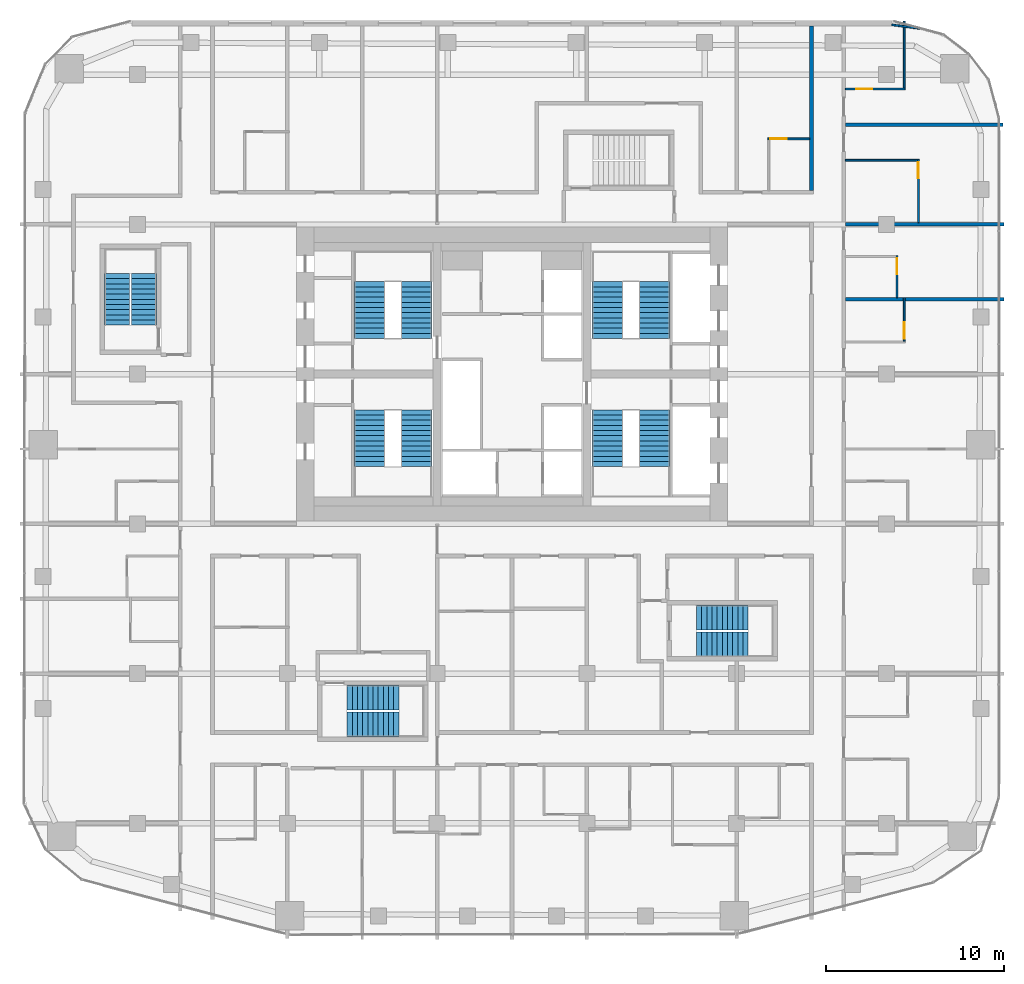
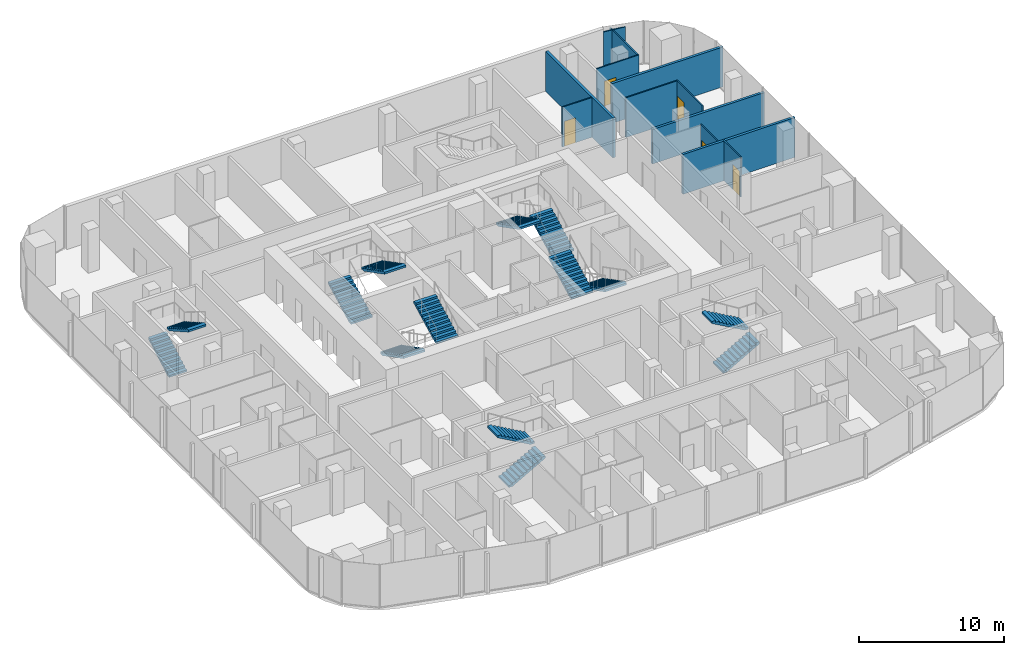
# One storey, part 20 of 23: 14 stair flights, 12 walls, 5 doors, 5 openings, 7 elements without a shape of their own.
"""IFC4 building model written with IfcOpenShell, lengths in metres."""

from ifc_helpers import new_model, si_unit, direction, frame, frame_2d, origin, place, context, subcontext, project, spatial, polyline, rectangle, outline, extrude, material, layer, layer_set, type_object, element, fill, aggregate, save


model = new_model("IFC4")

# Units and contexts
model_context = context("Model", 3, precision=1e-05, world=origin(), true_north=direction((0.0, 1.0)))
body_context = subcontext(model_context, "Body", "Model", "MODEL_VIEW")
ifc_project = project(units=[si_unit("LENGTHUNIT", "METRE"), si_unit("AREAUNIT", "SQUARE_METRE"), si_unit("VOLUMEUNIT", "CUBIC_METRE"), si_unit("PLANEANGLEUNIT", "RADIAN"), si_unit("MASSUNIT", "GRAM", prefix="KILO")], contexts=[model_context])

# Site, building, storey
site_placement = place(None, origin())
site = spatial("IfcSite", under=ifc_project, at=site_placement, CompositionType="ELEMENT")
building_placement = place(site_placement, origin())
building = spatial("IfcBuilding", under=site, at=building_placement, Name="Marenta Gate Hotel Tower", CompositionType="ELEMENT")
storey_placement = place(building_placement, frame((0.0, 0.0, 162.5)))
storey = spatial("IfcBuildingStorey", under=building, at=storey_placement, Name="L38", CompositionType="ELEMENT", Elevation=162.5)

# Wall
ifc_material_1 = material(Name="Gypsum board on steel stud", Category="steel")
ifc_layer_1 = layer(ifc_material_1, 0.199951171875)
ifc_layer_set_1 = layer_set([ifc_layer_1], Name="Gypsum board on steel stud")
wall_type_1 = type_object("IfcWallType", Name="Room corridor wall 200 EI 60", PredefinedType="PARTITIONING", material=ifc_layer_set_1)
wall_1_placement = place(storey_placement, frame((16.800048828125, 18.699951171875, 0.0), z_axis=(0.0, 0.0, 1.0), x_axis=(0.0, 1.0, 0.0)))
element("IfcWall", 1, at=wall_1_placement, inside=storey, type_object=wall_type_1, Name="L38-PTN-W018", PredefinedType="PARTITIONING", context=body_context, shape_type="SweptSolid", body=[
    extrude(rectangle(XDim=9.239990234375, YDim=0.199951171875, at=frame_2d((4.6201171875, 0.0))), origin(), (0.0, 0.0, 1.0), 3.340087890625),
])

# Wall, opening, door
ifc_material_2 = material(Name="Gypsum board on steel stud", Category="steel")
ifc_layer_2 = layer(ifc_material_2, 0.10009765625)
ifc_layer_set_2 = layer_set([ifc_layer_2], Name="Gypsum board on steel stud")
wall_type_2 = type_object("IfcWallType", Name="Room partition 100", PredefinedType="PARTITIONING", material=ifc_layer_set_2)
wall_2_placement = place(storey_placement, frame((22.800048828125, 16.89990234375, 0.0), z_axis=(0.0, 0.0, 1.0), x_axis=(0.0, 1.0, 0.0)))
wall_2 = element("IfcWall", 2, at=wall_2_placement, inside=storey, type_object=wall_type_2, Name="L38-PTN-W001", PredefinedType="PARTITIONING", context=body_context, shape_type="SweptSolid", body=[
    extrude(rectangle(XDim=3.550048828125, YDim=0.10009765625, at=frame_2d((1.77490234375, 0.0))), origin(), (0.0, 0.0, 1.0), 3.340087890625),
])
opening_1_placement = place(wall_2_placement, frame((2.5, 0.0, 0.0)))
opening_1 = element("IfcOpeningElement", 3, at=opening_1_placement, cuts=wall_2, Name="Opening G14-22", PredefinedType="OPENING", context=body_context, shape_type="SweptSolid", body=[
    extrude(rectangle(XDim=0.89990234375, YDim=2.10009765625, at=frame_2d((0.449951171875, 1.050048828125))), frame((0.0, 0.050048828125, 0.0), z_axis=(0.0, -1.0, 0.0), x_axis=(1.0, 0.0, 0.0)), (0.0, 0.0, 1.0), 0.10009765625),
])
ifc_material_3 = material(Name="Timber door leaf", Category="wood")
door_type = type_object("IfcDoorType", Name="Guest bathroom door 900x2100", OperationType="NOTDEFINED", PredefinedType="DOOR", material=ifc_material_3)
door_1_placement = place(opening_1_placement, origin())
door_1 = element("IfcDoor", 4, at=door_1_placement, inside=storey, type_object=door_type, Name="L38-PD-D022", OperationType="SINGLE_SWING_RIGHT", OverallHeight=2.10009765625, OverallWidth=0.89990234375, PredefinedType="DOOR", context=body_context, shape_type="SweptSolid", body=[
    extrude(rectangle(XDim=0.89990234375, YDim=2.10009765625, at=frame_2d((0.449951171875, 1.050048828125))), frame((0.0, 0.02490234375, 0.0), z_axis=(0.0, -1.0, 0.0), x_axis=(1.0, 0.0, 0.0)), (0.0, 0.0, 1.0), 0.050048828125),
])
fill(opening_1, door_1)

wall_3_placement = place(storey_placement, frame((22.0, 10.25, 0.0), z_axis=(0.0, 0.0, 1.0), x_axis=(0.0, 1.0, 0.0)))
wall_3 = element("IfcWall", 5, at=wall_3_placement, inside=storey, type_object=wall_type_2, Name="L38-PTN-W005", PredefinedType="PARTITIONING", context=body_context, shape_type="SweptSolid", body=[
    extrude(rectangle(XDim=2.449951171875, YDim=0.10009765625, at=frame_2d((1.22509765625, 0.0))), origin(), (0.0, 0.0, 1.0), 3.340087890625),
])
opening_2_placement = place(wall_3_placement, frame((0.14990234375, 0.0, 0.0)))
opening_2 = element("IfcOpeningElement", 6, at=opening_2_placement, cuts=wall_3, Name="Opening G14-18", PredefinedType="OPENING", context=body_context, shape_type="SweptSolid", body=[
    extrude(rectangle(XDim=0.89990234375, YDim=2.10009765625, at=frame_2d((0.449951171875, 1.050048828125))), frame((0.0, 0.050048828125, 0.0), z_axis=(0.0, -1.0, 0.0), x_axis=(1.0, 0.0, 0.0)), (0.0, 0.0, 1.0), 0.10009765625),
])
door_2_placement = place(opening_2_placement, origin())
door_2 = element("IfcDoor", 7, at=door_2_placement, inside=storey, type_object=door_type, Name="L38-PD-D018", OperationType="SINGLE_SWING_LEFT", OverallHeight=2.10009765625, OverallWidth=0.89990234375, PredefinedType="DOOR", context=body_context, shape_type="SweptSolid", body=[
    extrude(rectangle(XDim=0.89990234375, YDim=2.10009765625, at=frame_2d((0.449951171875, 1.050048828125))), frame((0.0, 0.02490234375, 0.0), z_axis=(0.0, -1.0, 0.0), x_axis=(1.0, 0.0, 0.0)), (0.0, 0.0, 1.0), 0.050048828125),
])
fill(opening_2, door_2)

# Wall
wall_4_placement = place(storey_placement, frame((22.0, 24.449951171875, 0.0), z_axis=(0.0, 0.0, 1.0), x_axis=(0.0, 1.0, 0.0)))
element("IfcWall", 8, at=wall_4_placement, inside=storey, type_object=wall_type_2, Name="L38-PTN-W006", PredefinedType="PARTITIONING", context=body_context, shape_type="SweptSolid", body=[
    extrude(rectangle(XDim=3.758056640625, YDim=0.10009765625, at=frame_2d((1.87890625, 0.0))), origin(), (0.0, 0.0, 1.0), 3.340087890625),
])

# Wall, opening, door
wall_5_placement = place(storey_placement, frame((21.60009765625, 12.699951171875, 0.0), z_axis=(0.0, 0.0, 1.0), x_axis=(0.0, 1.0, 0.0)))
wall_5 = element("IfcWall", 9, at=wall_5_placement, inside=storey, type_object=wall_type_2, Name="L38-PTN-W008", PredefinedType="PARTITIONING", context=body_context, shape_type="SweptSolid", body=[
    extrude(rectangle(XDim=2.35009765625, YDim=0.10009765625, at=frame_2d((1.175048828125, 0.0))), origin(), (0.0, 0.0, 1.0), 3.340087890625),
])
opening_3_placement = place(wall_5_placement, frame((1.300048828125, 0.0, 0.0)))
opening_3 = element("IfcOpeningElement", 10, at=opening_3_placement, cuts=wall_5, Name="Opening G14-20", PredefinedType="OPENING", context=body_context, shape_type="SweptSolid", body=[
    extrude(rectangle(XDim=0.89990234375, YDim=2.10009765625, at=frame_2d((0.449951171875, 1.050048828125))), frame((0.0, 0.050048828125, 0.0), z_axis=(0.0, -1.0, 0.0), x_axis=(1.0, 0.0, 0.0)), (0.0, 0.0, 1.0), 0.10009765625),
])
door_3_placement = place(opening_3_placement, origin())
door_3 = element("IfcDoor", 11, at=door_3_placement, inside=storey, type_object=door_type, Name="L38-PD-D020", OperationType="SINGLE_SWING_RIGHT", OverallHeight=2.10009765625, OverallWidth=0.89990234375, PredefinedType="DOOR", context=body_context, shape_type="SweptSolid", body=[
    extrude(rectangle(XDim=0.89990234375, YDim=2.10009765625, at=frame_2d((0.449951171875, 1.050048828125))), frame((0.0, 0.02490234375, 0.0), z_axis=(0.0, -1.0, 0.0), x_axis=(1.0, 0.0, 0.0)), (0.0, 0.0, 1.0), 0.050048828125),
])
fill(opening_3, door_3)

# Wall
wall_6_placement = place(storey_placement, frame((18.699951171875, 20.39990234375, 0.0), z_axis=(0.0, 0.0, 1.0), x_axis=(1.0, 0.0, 0.0)))
element("IfcWall", 12, at=wall_6_placement, inside=storey, type_object=wall_type_2, Name="L38-PTN-W107", PredefinedType="PARTITIONING", context=body_context, shape_type="SweptSolid", body=[
    extrude(rectangle(XDim=4.050048828125, YDim=0.10009765625, at=frame_2d((2.02490234375, 0.0))), origin(), (0.0, 0.0, 1.0), 3.340087890625),
])

# Wall, opening, door
wall_7_placement = place(storey_placement, frame((14.35009765625, 21.60009765625, 0.0), z_axis=(0.0, 0.0, 1.0), x_axis=(1.0, 0.0, 0.0)))
wall_7 = element("IfcWall", 13, at=wall_7_placement, inside=storey, type_object=wall_type_2, Name="L38-PTN-W110", PredefinedType="PARTITIONING", context=body_context, shape_type="SweptSolid", body=[
    extrude(rectangle(XDim=2.349853515625, YDim=0.10009765625, at=frame_2d((1.1748046875, 0.0))), origin(), (0.0, 0.0, 1.0), 3.340087890625),
])
opening_4_placement = place(wall_7_placement, frame((0.14990234375, 0.0, 0.0)))
opening_4 = element("IfcOpeningElement", 14, at=opening_4_placement, cuts=wall_7, Name="Opening G14-29", PredefinedType="OPENING", context=body_context, shape_type="SweptSolid", body=[
    extrude(rectangle(XDim=0.89990234375, YDim=2.10009765625, at=frame_2d((0.449951171875, 1.050048828125))), frame((0.0, 0.050048828125, 0.0), z_axis=(0.0, -1.0, 0.0), x_axis=(1.0, 0.0, 0.0)), (0.0, 0.0, 1.0), 0.10009765625),
])
door_4_placement = place(opening_4_placement, origin())
door_4 = element("IfcDoor", 15, at=door_4_placement, inside=storey, type_object=door_type, Name="L38-PD-D029", OperationType="SINGLE_SWING_RIGHT", OverallHeight=2.10009765625, OverallWidth=0.89990234375, PredefinedType="DOOR", context=body_context, shape_type="SweptSolid", body=[
    extrude(rectangle(XDim=0.89990234375, YDim=2.10009765625, at=frame_2d((0.449951171875, 1.050048828125))), frame((0.0, 0.02490234375, 0.0), z_axis=(0.0, -1.0, 0.0), x_axis=(1.0, 0.0, 0.0)), (0.0, 0.0, 1.0), 0.050048828125),
])
fill(opening_4, door_4)

wall_8_placement = place(storey_placement, frame((18.699951171875, 24.39990234375, 0.0), z_axis=(0.0, 0.0, 1.0), x_axis=(1.0, 0.0, 0.0)))
wall_8 = element("IfcWall", 16, at=wall_8_placement, inside=storey, type_object=wall_type_2, Name="L38-PTN-W115", PredefinedType="PARTITIONING", context=body_context, shape_type="SweptSolid", body=[
    extrude(rectangle(XDim=3.35009765625, YDim=0.10009765625, at=frame_2d((1.675048828125, 0.0))), origin(), (0.0, 0.0, 1.0), 3.340087890625),
])
opening_5_placement = place(wall_8_placement, frame((0.6201171875, 0.0, 0.0)))
opening_5 = element("IfcOpeningElement", 17, at=opening_5_placement, cuts=wall_8, Name="Opening G14-24", PredefinedType="OPENING", context=body_context, shape_type="SweptSolid", body=[
    extrude(rectangle(XDim=0.89990234375, YDim=2.10009765625, at=frame_2d((0.449951171875, 1.050048828125))), frame((0.0, 0.050048828125, 0.0), z_axis=(0.0, -1.0, 0.0), x_axis=(1.0, 0.0, 0.0)), (0.0, 0.0, 1.0), 0.10009765625),
])
door_5_placement = place(opening_5_placement, origin())
door_5 = element("IfcDoor", 18, at=door_5_placement, inside=storey, type_object=door_type, Name="L38-PD-D024", OperationType="SINGLE_SWING_RIGHT", OverallHeight=2.10009765625, OverallWidth=0.89990234375, PredefinedType="DOOR", context=body_context, shape_type="SweptSolid", body=[
    extrude(rectangle(XDim=0.89990234375, YDim=2.10009765625, at=frame_2d((0.449951171875, 1.050048828125))), frame((0.0, 0.02490234375, 0.0), z_axis=(0.0, -1.0, 0.0), x_axis=(1.0, 0.0, 0.0)), (0.0, 0.0, 1.0), 0.050048828125),
])
fill(opening_5, door_5)

# Walls
wall_9_placement = place(storey_placement, frame((21.31201171875, 27.998046875, 0.0), z_axis=(0.0, 0.0, 1.0), x_axis=(0.991547575144, -0.129743617284, 0.0)))
element("IfcWall", 19, at=wall_9_placement, inside=storey, type_object=wall_type_2, Name="L38-PTN-W117", PredefinedType="PARTITIONING", context=body_context, shape_type="SweptSolid", body=[
    extrude(rectangle(XDim=1.625732421875, YDim=0.10009765625, at=frame_2d((0.81298828125, 0.0))), origin(), (0.0, 0.0, 1.0), 3.340087890625),
])
ifc_material_4 = material(Name="Gypsum board on steel stud", Category="steel")
ifc_layer_3 = layer(ifc_material_4, 0.199951171875)
ifc_layer_set_3 = layer_set([ifc_layer_3], Name="Gypsum board on steel stud")
wall_type_3 = type_object("IfcWallType", Name="Room party wall 200 EI 60", PredefinedType="PARTITIONING", material=ifc_layer_set_3)
wall_10_placement = place(storey_placement, frame((18.699951171875, 12.60009765625, 0.0), z_axis=(0.0, 0.0, 1.0), x_axis=(1.0, 0.0, 0.0)))
element("IfcWall", 20, at=wall_10_placement, inside=storey, type_object=wall_type_3, Name="L38-PTN-W091", PredefinedType="PARTITIONING", context=body_context, shape_type="SweptSolid", body=[
    extrude(rectangle(XDim=8.900146484375, YDim=0.199951171875, at=frame_2d((4.4501953125, 0.0))), origin(), (0.0, 0.0, 1.0), 3.340087890625),
])
wall_11_placement = place(storey_placement, frame((18.699951171875, 16.800048828125, 0.0), z_axis=(0.0, 0.0, 1.0), x_axis=(1.0, 0.0, 0.0)))
element("IfcWall", 21, at=wall_11_placement, inside=storey, type_object=wall_type_3, Name="L38-PTN-W100", PredefinedType="PARTITIONING", context=body_context, shape_type="SweptSolid", body=[
    extrude(rectangle(XDim=8.900146484375, YDim=0.199951171875, at=frame_2d((4.4501953125, 0.0))), origin(), (0.0, 0.0, 1.0), 2.889892578125),
])
wall_12_placement = place(storey_placement, frame((18.699951171875, 22.39990234375, 0.0), z_axis=(0.0, 0.0, 1.0), x_axis=(1.0, 0.0, 0.0)))
element("IfcWall", 22, at=wall_12_placement, inside=storey, type_object=wall_type_3, Name="L38-PTN-W113", PredefinedType="PARTITIONING", context=body_context, shape_type="SweptSolid", body=[
    extrude(rectangle(XDim=8.84716796875, YDim=0.199951171875, at=frame_2d((4.423583984375, 0.0))), origin(), (0.0, 0.0, 1.0), 3.340087890625),
])

# Stair, stair flights
ifc_material_5 = material(Name="Concrete C40", Category="concrete")
stair_type_1 = type_object("IfcStairType", Name="Core exit stair 1700 wide", PredefinedType="HALF_TURN_STAIR", material=ifc_material_5)
stair_1_placement = place(storey_placement, origin())
stair_1 = element("IfcStair", 23, at=stair_1_placement, inside=storey, type_object=stair_type_1, Name="Exit stair 1", PredefinedType="HALF_TURN_STAIR")
ifc_material_6 = material(Name="Concrete C40", Category="concrete")
stair_flight_type_1 = type_object("IfcStairFlightType", Name="Core stair flight 1700 riser 150.0 going 290", PredefinedType="STRAIGHT", material=ifc_material_6)
stair_flight_1_placement = place(storey_placement, frame((-8.0, 6.39990234375, 0.0), z_axis=(0.0, 0.0, 1.0), x_axis=(0.0, -1.0, 0.0)))
stair_flight_1 = element("IfcStairFlight", 24, at=stair_flight_1_placement, type_object=stair_flight_type_1, Name="ST1 flight 1", NumberOfRisers=12, NumberOfTreads=11, PredefinedType="STRAIGHT", RiserHeight=0.15, TreadLength=0.29, context=body_context, shape_type="SweptSolid", body=[
    extrude(outline(polyline([(0.0, 0.0), (0.0, 0.14990234375), (0.2900390625, 0.14990234375), (0.2900390625, 0.300048828125), (0.580078125, 0.300048828125), (0.580078125, 0.449951171875), (0.8701171875, 0.449951171875), (0.8701171875, 0.60009765625), (1.159912109375, 0.60009765625), (1.159912109375, 0.75), (1.449951171875, 0.75), (1.449951171875, 0.89990234375), (1.739990234375, 0.89990234375), (1.739990234375, 1.050048828125), (2.030029296875, 1.050048828125), (2.030029296875, 1.199951171875), (2.320068359375, 1.199951171875), (2.320068359375, 1.35009765625), (2.610107421875, 1.35009765625), (2.610107421875, 1.5), (2.89990234375, 1.5), (2.89990234375, 1.64990234375), (3.18994140625, 1.64990234375), (3.18994140625, 1.800048828125), (3.18994140625, 1.481201171875), (0.326171875, 0.0), (0.0, 0.0)])), frame((0.0, 0.85009765625, 0.0), z_axis=(0.0, -1.0, 0.0), x_axis=(1.0, 0.0, 0.0)), (0.0, 0.0, 1.0), 1.699951171875),
])
stair_flight_2_placement = place(storey_placement, frame((-5.35009765625, 3.2099609375, 1.800048828125), z_axis=(0.0, 0.0, 1.0), x_axis=(0.0, 1.0, 0.0)))
stair_flight_2 = element("IfcStairFlight", 25, at=stair_flight_2_placement, type_object=stair_flight_type_1, Name="ST1 flight 2", NumberOfRisers=12, NumberOfTreads=11, PredefinedType="STRAIGHT", RiserHeight=0.15, TreadLength=0.29, context=body_context, shape_type="SweptSolid", body=[
    extrude(outline(polyline([(0.0, 0.0), (0.0, 0.14990234375), (0.2900390625, 0.14990234375), (0.2900390625, 0.300048828125), (0.580078125, 0.300048828125), (0.580078125, 0.449951171875), (0.8701171875, 0.449951171875), (0.8701171875, 0.60009765625), (1.159912109375, 0.60009765625), (1.159912109375, 0.75), (1.449951171875, 0.75), (1.449951171875, 0.89990234375), (1.739990234375, 0.89990234375), (1.739990234375, 1.050048828125), (2.030029296875, 1.050048828125), (2.030029296875, 1.199951171875), (2.320068359375, 1.199951171875), (2.320068359375, 1.35009765625), (2.610107421875, 1.35009765625), (2.610107421875, 1.5), (2.89990234375, 1.5), (2.89990234375, 1.64990234375), (3.18994140625, 1.64990234375), (3.18994140625, 1.800048828125), (3.18994140625, 1.481201171875), (0.326171875, 0.0), (0.0, 0.0)])), frame((0.0, 0.85009765625, 0.0), z_axis=(0.0, -1.0, 0.0), x_axis=(1.0, 0.0, 0.0)), (0.0, 0.0, 1.0), 1.699951171875),
])
aggregate(stair_1, [stair_flight_1, stair_flight_2])

stair_2_placement = place(storey_placement, origin())
stair_2 = element("IfcStair", 26, at=stair_2_placement, inside=storey, type_object=stair_type_1, Name="Exit stair 2", PredefinedType="HALF_TURN_STAIR")
stair_flight_3_placement = place(storey_placement, frame((-8.0, 10.39990234375, 0.0), z_axis=(0.0, 0.0, 1.0), x_axis=(0.0, 1.0, 0.0)))
stair_flight_3 = element("IfcStairFlight", 27, at=stair_flight_3_placement, type_object=stair_flight_type_1, Name="ST2 flight 1", NumberOfRisers=12, NumberOfTreads=11, PredefinedType="STRAIGHT", RiserHeight=0.15, TreadLength=0.29, context=body_context, shape_type="SweptSolid", body=[
    extrude(outline(polyline([(0.0, 0.0), (0.0, 0.14990234375), (0.2900390625, 0.14990234375), (0.2900390625, 0.300048828125), (0.580078125, 0.300048828125), (0.580078125, 0.449951171875), (0.8701171875, 0.449951171875), (0.8701171875, 0.60009765625), (1.159912109375, 0.60009765625), (1.159912109375, 0.75), (1.449951171875, 0.75), (1.449951171875, 0.89990234375), (1.739990234375, 0.89990234375), (1.739990234375, 1.050048828125), (2.030029296875, 1.050048828125), (2.030029296875, 1.199951171875), (2.320068359375, 1.199951171875), (2.320068359375, 1.35009765625), (2.610107421875, 1.35009765625), (2.610107421875, 1.5), (2.89990234375, 1.5), (2.89990234375, 1.64990234375), (3.18994140625, 1.64990234375), (3.18994140625, 1.800048828125), (3.18994140625, 1.481201171875), (0.326171875, 0.0), (0.0, 0.0)])), frame((0.0, 0.85009765625, 0.0), z_axis=(0.0, -1.0, 0.0), x_axis=(1.0, 0.0, 0.0)), (0.0, 0.0, 1.0), 1.699951171875),
])
stair_flight_4_placement = place(storey_placement, frame((-5.35009765625, 13.590087890625, 1.800048828125), z_axis=(0.0, 0.0, 1.0), x_axis=(0.0, -1.0, 0.0)))
stair_flight_4 = element("IfcStairFlight", 28, at=stair_flight_4_placement, type_object=stair_flight_type_1, Name="ST2 flight 2", NumberOfRisers=12, NumberOfTreads=11, PredefinedType="STRAIGHT", RiserHeight=0.15, TreadLength=0.29, context=body_context, shape_type="SweptSolid", body=[
    extrude(outline(polyline([(0.0, 0.0), (0.0, 0.14990234375), (0.2900390625, 0.14990234375), (0.2900390625, 0.300048828125), (0.580078125, 0.300048828125), (0.580078125, 0.449951171875), (0.8701171875, 0.449951171875), (0.8701171875, 0.60009765625), (1.159912109375, 0.60009765625), (1.159912109375, 0.75), (1.449951171875, 0.75), (1.449951171875, 0.89990234375), (1.739990234375, 0.89990234375), (1.739990234375, 1.050048828125), (2.030029296875, 1.050048828125), (2.030029296875, 1.199951171875), (2.320068359375, 1.199951171875), (2.320068359375, 1.35009765625), (2.610107421875, 1.35009765625), (2.610107421875, 1.5), (2.89990234375, 1.5), (2.89990234375, 1.64990234375), (3.18994140625, 1.64990234375), (3.18994140625, 1.800048828125), (3.18994140625, 1.481201171875), (0.326171875, 0.0), (0.0, 0.0)])), frame((0.0, 0.85009765625, 0.0), z_axis=(0.0, -1.0, 0.0), x_axis=(1.0, 0.0, 0.0)), (0.0, 0.0, 1.0), 1.699951171875),
])
aggregate(stair_2, [stair_flight_3, stair_flight_4])

stair_3_placement = place(storey_placement, origin())
stair_3 = element("IfcStair", 29, at=stair_3_placement, inside=storey, type_object=stair_type_1, Name="Exit stair 3", PredefinedType="HALF_TURN_STAIR")
stair_flight_5_placement = place(storey_placement, frame((8.0, 6.39990234375, 0.0), z_axis=(0.0, 0.0, 1.0), x_axis=(0.0, -1.0, 0.0)))
stair_flight_5 = element("IfcStairFlight", 30, at=stair_flight_5_placement, type_object=stair_flight_type_1, Name="ST3 flight 1", NumberOfRisers=12, NumberOfTreads=11, PredefinedType="STRAIGHT", RiserHeight=0.15, TreadLength=0.29, context=body_context, shape_type="SweptSolid", body=[
    extrude(outline(polyline([(0.0, 0.0), (0.0, 0.14990234375), (0.2900390625, 0.14990234375), (0.2900390625, 0.300048828125), (0.580078125, 0.300048828125), (0.580078125, 0.449951171875), (0.8701171875, 0.449951171875), (0.8701171875, 0.60009765625), (1.159912109375, 0.60009765625), (1.159912109375, 0.75), (1.449951171875, 0.75), (1.449951171875, 0.89990234375), (1.739990234375, 0.89990234375), (1.739990234375, 1.050048828125), (2.030029296875, 1.050048828125), (2.030029296875, 1.199951171875), (2.320068359375, 1.199951171875), (2.320068359375, 1.35009765625), (2.610107421875, 1.35009765625), (2.610107421875, 1.5), (2.89990234375, 1.5), (2.89990234375, 1.64990234375), (3.18994140625, 1.64990234375), (3.18994140625, 1.800048828125), (3.18994140625, 1.481201171875), (0.326171875, 0.0), (0.0, 0.0)])), frame((0.0, 0.85009765625, 0.0), z_axis=(0.0, -1.0, 0.0), x_axis=(1.0, 0.0, 0.0)), (0.0, 0.0, 1.0), 1.699951171875),
])
stair_flight_6_placement = place(storey_placement, frame((5.35009765625, 3.2099609375, 1.800048828125), z_axis=(0.0, 0.0, 1.0), x_axis=(0.0, 1.0, 0.0)))
stair_flight_6 = element("IfcStairFlight", 31, at=stair_flight_6_placement, type_object=stair_flight_type_1, Name="ST3 flight 2", NumberOfRisers=12, NumberOfTreads=11, PredefinedType="STRAIGHT", RiserHeight=0.15, TreadLength=0.29, context=body_context, shape_type="SweptSolid", body=[
    extrude(outline(polyline([(0.0, 0.0), (0.0, 0.14990234375), (0.2900390625, 0.14990234375), (0.2900390625, 0.300048828125), (0.580078125, 0.300048828125), (0.580078125, 0.449951171875), (0.8701171875, 0.449951171875), (0.8701171875, 0.60009765625), (1.159912109375, 0.60009765625), (1.159912109375, 0.75), (1.449951171875, 0.75), (1.449951171875, 0.89990234375), (1.739990234375, 0.89990234375), (1.739990234375, 1.050048828125), (2.030029296875, 1.050048828125), (2.030029296875, 1.199951171875), (2.320068359375, 1.199951171875), (2.320068359375, 1.35009765625), (2.610107421875, 1.35009765625), (2.610107421875, 1.5), (2.89990234375, 1.5), (2.89990234375, 1.64990234375), (3.18994140625, 1.64990234375), (3.18994140625, 1.800048828125), (3.18994140625, 1.481201171875), (0.326171875, 0.0), (0.0, 0.0)])), frame((0.0, 0.85009765625, 0.0), z_axis=(0.0, -1.0, 0.0), x_axis=(1.0, 0.0, 0.0)), (0.0, 0.0, 1.0), 1.699951171875),
])
aggregate(stair_3, [stair_flight_5, stair_flight_6])

stair_4_placement = place(storey_placement, origin())
stair_4 = element("IfcStair", 32, at=stair_4_placement, inside=storey, type_object=stair_type_1, Name="Exit stair 4", PredefinedType="HALF_TURN_STAIR")
stair_flight_7_placement = place(storey_placement, frame((8.0, 10.39990234375, 0.0), z_axis=(0.0, 0.0, 1.0), x_axis=(0.0, 1.0, 0.0)))
stair_flight_7 = element("IfcStairFlight", 33, at=stair_flight_7_placement, type_object=stair_flight_type_1, Name="ST4 flight 1", NumberOfRisers=12, NumberOfTreads=11, PredefinedType="STRAIGHT", RiserHeight=0.15, TreadLength=0.29, context=body_context, shape_type="SweptSolid", body=[
    extrude(outline(polyline([(0.0, 0.0), (0.0, 0.14990234375), (0.2900390625, 0.14990234375), (0.2900390625, 0.300048828125), (0.580078125, 0.300048828125), (0.580078125, 0.449951171875), (0.8701171875, 0.449951171875), (0.8701171875, 0.60009765625), (1.159912109375, 0.60009765625), (1.159912109375, 0.75), (1.449951171875, 0.75), (1.449951171875, 0.89990234375), (1.739990234375, 0.89990234375), (1.739990234375, 1.050048828125), (2.030029296875, 1.050048828125), (2.030029296875, 1.199951171875), (2.320068359375, 1.199951171875), (2.320068359375, 1.35009765625), (2.610107421875, 1.35009765625), (2.610107421875, 1.5), (2.89990234375, 1.5), (2.89990234375, 1.64990234375), (3.18994140625, 1.64990234375), (3.18994140625, 1.800048828125), (3.18994140625, 1.481201171875), (0.326171875, 0.0), (0.0, 0.0)])), frame((0.0, 0.85009765625, 0.0), z_axis=(0.0, -1.0, 0.0), x_axis=(1.0, 0.0, 0.0)), (0.0, 0.0, 1.0), 1.699951171875),
])
stair_flight_8_placement = place(storey_placement, frame((5.35009765625, 13.590087890625, 1.800048828125), z_axis=(0.0, 0.0, 1.0), x_axis=(0.0, -1.0, 0.0)))
stair_flight_8 = element("IfcStairFlight", 34, at=stair_flight_8_placement, type_object=stair_flight_type_1, Name="ST4 flight 2", NumberOfRisers=12, NumberOfTreads=11, PredefinedType="STRAIGHT", RiserHeight=0.15, TreadLength=0.29, context=body_context, shape_type="SweptSolid", body=[
    extrude(outline(polyline([(0.0, 0.0), (0.0, 0.14990234375), (0.2900390625, 0.14990234375), (0.2900390625, 0.300048828125), (0.580078125, 0.300048828125), (0.580078125, 0.449951171875), (0.8701171875, 0.449951171875), (0.8701171875, 0.60009765625), (1.159912109375, 0.60009765625), (1.159912109375, 0.75), (1.449951171875, 0.75), (1.449951171875, 0.89990234375), (1.739990234375, 0.89990234375), (1.739990234375, 1.050048828125), (2.030029296875, 1.050048828125), (2.030029296875, 1.199951171875), (2.320068359375, 1.199951171875), (2.320068359375, 1.35009765625), (2.610107421875, 1.35009765625), (2.610107421875, 1.5), (2.89990234375, 1.5), (2.89990234375, 1.64990234375), (3.18994140625, 1.64990234375), (3.18994140625, 1.800048828125), (3.18994140625, 1.481201171875), (0.326171875, 0.0), (0.0, 0.0)])), frame((0.0, 0.85009765625, 0.0), z_axis=(0.0, -1.0, 0.0), x_axis=(1.0, 0.0, 0.0)), (0.0, 0.0, 1.0), 1.699951171875),
])
aggregate(stair_4, [stair_flight_7, stair_flight_8])

ifc_material_7 = material(Name="Concrete C40", Category="concrete")
stair_type_2 = type_object("IfcStairType", Name="Remote exit stair 1400 wide", PredefinedType="HALF_TURN_STAIR", material=ifc_material_7)
stair_5_placement = place(storey_placement, origin())
stair_5 = element("IfcStair", 35, at=stair_5_placement, inside=storey, type_object=stair_type_2, Name="Exit stair RS-Z1-3", PredefinedType="HALF_TURN_STAIR")
ifc_material_8 = material(Name="Concrete C40", Category="concrete")
stair_flight_type_2 = type_object("IfcStairFlightType", Name="Remote stair flight 1400 riser 163.6 going 290", PredefinedType="STRAIGHT", material=ifc_material_8)
stair_flight_9_placement = place(storey_placement, frame((-22.14990234375, 11.14990234375, 0.0), z_axis=(0.0, 0.0, 1.0), x_axis=(0.0, 1.0, 0.0)))
stair_flight_9 = element("IfcStairFlight", 36, at=stair_flight_9_placement, type_object=stair_flight_type_2, Name="RS-Z1-3 flight 1", NumberOfRisers=11, NumberOfTreads=10, PredefinedType="STRAIGHT", RiserHeight=0.163636, TreadLength=0.29, context=body_context, shape_type="SweptSolid", body=[
    extrude(outline(polyline([(0.0, 0.0), (0.0, 0.16357421875), (0.2900390625, 0.16357421875), (0.2900390625, 0.327392578125), (0.580078125, 0.327392578125), (0.580078125, 0.490966796875), (0.8701171875, 0.490966796875), (0.8701171875, 0.654541015625), (1.159912109375, 0.654541015625), (1.159912109375, 0.818115234375), (1.449951171875, 0.818115234375), (1.449951171875, 0.98193359375), (1.739990234375, 0.98193359375), (1.739990234375, 1.1455078125), (2.030029296875, 1.1455078125), (2.030029296875, 1.30908203125), (2.320068359375, 1.30908203125), (2.320068359375, 1.47265625), (2.610107421875, 1.47265625), (2.610107421875, 1.636474609375), (2.89990234375, 1.636474609375), (2.89990234375, 1.800048828125), (2.89990234375, 1.46435546875), (0.304931640625, 0.0), (0.0, 0.0)])), frame((0.0, 0.699951171875, 0.0), z_axis=(0.0, -1.0, 0.0), x_axis=(1.0, 0.0, 0.0)), (0.0, 0.0, 1.0), 1.39990234375),
])
stair_flight_10_placement = place(storey_placement, frame((-20.64990234375, 14.050048828125, 1.800048828125), z_axis=(0.0, 0.0, 1.0), x_axis=(0.0, -1.0, 0.0)))
stair_flight_10 = element("IfcStairFlight", 37, at=stair_flight_10_placement, type_object=stair_flight_type_2, Name="RS-Z1-3 flight 2", NumberOfRisers=11, NumberOfTreads=10, PredefinedType="STRAIGHT", RiserHeight=0.163636, TreadLength=0.29, context=body_context, shape_type="SweptSolid", body=[
    extrude(outline(polyline([(0.0, 0.0), (0.0, 0.16357421875), (0.2900390625, 0.16357421875), (0.2900390625, 0.327392578125), (0.580078125, 0.327392578125), (0.580078125, 0.490966796875), (0.8701171875, 0.490966796875), (0.8701171875, 0.654541015625), (1.159912109375, 0.654541015625), (1.159912109375, 0.818115234375), (1.449951171875, 0.818115234375), (1.449951171875, 0.98193359375), (1.739990234375, 0.98193359375), (1.739990234375, 1.1455078125), (2.030029296875, 1.1455078125), (2.030029296875, 1.30908203125), (2.320068359375, 1.30908203125), (2.320068359375, 1.47265625), (2.610107421875, 1.47265625), (2.610107421875, 1.636474609375), (2.89990234375, 1.636474609375), (2.89990234375, 1.800048828125), (2.89990234375, 1.46435546875), (0.304931640625, 0.0), (0.0, 0.0)])), frame((0.0, 0.699951171875, 0.0), z_axis=(0.0, -1.0, 0.0), x_axis=(1.0, 0.0, 0.0)), (0.0, 0.0, 1.0), 1.39990234375),
])
aggregate(stair_5, [stair_flight_9, stair_flight_10])

stair_6_placement = place(storey_placement, origin())
stair_6 = element("IfcStair", 38, at=stair_6_placement, inside=storey, type_object=stair_type_2, Name="Exit stair RS-Z2-1", PredefinedType="HALF_TURN_STAIR")
stair_flight_11_placement = place(storey_placement, frame((-9.25, -11.25, 0.0), z_axis=(0.0, 0.0, 1.0), x_axis=(1.0, 0.0, 0.0)))
stair_flight_11 = element("IfcStairFlight", 39, at=stair_flight_11_placement, type_object=stair_flight_type_2, Name="RS-Z2-1 flight 1", NumberOfRisers=11, NumberOfTreads=10, PredefinedType="STRAIGHT", RiserHeight=0.163636, TreadLength=0.29, context=body_context, shape_type="SweptSolid", body=[
    extrude(outline(polyline([(0.0, 0.0), (0.0, 0.16357421875), (0.2900390625, 0.16357421875), (0.2900390625, 0.327392578125), (0.580078125, 0.327392578125), (0.580078125, 0.490966796875), (0.8701171875, 0.490966796875), (0.8701171875, 0.654541015625), (1.159912109375, 0.654541015625), (1.159912109375, 0.818115234375), (1.449951171875, 0.818115234375), (1.449951171875, 0.98193359375), (1.739990234375, 0.98193359375), (1.739990234375, 1.1455078125), (2.030029296875, 1.1455078125), (2.030029296875, 1.30908203125), (2.320068359375, 1.30908203125), (2.320068359375, 1.47265625), (2.610107421875, 1.47265625), (2.610107421875, 1.636474609375), (2.89990234375, 1.636474609375), (2.89990234375, 1.800048828125), (2.89990234375, 1.46435546875), (0.304931640625, 0.0), (0.0, 0.0)])), frame((0.0, 0.699951171875, 0.0), z_axis=(0.0, -1.0, 0.0), x_axis=(1.0, 0.0, 0.0)), (0.0, 0.0, 1.0), 1.39990234375),
])
stair_flight_12_placement = place(storey_placement, frame((-6.35009765625, -9.75, 1.800048828125), z_axis=(0.0, 0.0, 1.0), x_axis=(-1.0, 0.0, 0.0)))
stair_flight_12 = element("IfcStairFlight", 40, at=stair_flight_12_placement, type_object=stair_flight_type_2, Name="RS-Z2-1 flight 2", NumberOfRisers=11, NumberOfTreads=10, PredefinedType="STRAIGHT", RiserHeight=0.163636, TreadLength=0.29, context=body_context, shape_type="SweptSolid", body=[
    extrude(outline(polyline([(0.0, 0.0), (0.0, 0.16357421875), (0.2900390625, 0.16357421875), (0.2900390625, 0.327392578125), (0.580078125, 0.327392578125), (0.580078125, 0.490966796875), (0.8701171875, 0.490966796875), (0.8701171875, 0.654541015625), (1.159912109375, 0.654541015625), (1.159912109375, 0.818115234375), (1.449951171875, 0.818115234375), (1.449951171875, 0.98193359375), (1.739990234375, 0.98193359375), (1.739990234375, 1.1455078125), (2.030029296875, 1.1455078125), (2.030029296875, 1.30908203125), (2.320068359375, 1.30908203125), (2.320068359375, 1.47265625), (2.610107421875, 1.47265625), (2.610107421875, 1.636474609375), (2.89990234375, 1.636474609375), (2.89990234375, 1.800048828125), (2.89990234375, 1.46435546875), (0.304931640625, 0.0), (0.0, 0.0)])), frame((0.0, 0.699951171875, 0.0), z_axis=(0.0, -1.0, 0.0), x_axis=(1.0, 0.0, 0.0)), (0.0, 0.0, 1.0), 1.39990234375),
])
aggregate(stair_6, [stair_flight_11, stair_flight_12])

stair_7_placement = place(storey_placement, origin())
stair_7 = element("IfcStair", 41, at=stair_7_placement, inside=storey, type_object=stair_type_2, Name="Exit stair RS-Z2-2", PredefinedType="HALF_TURN_STAIR")
stair_flight_13_placement = place(storey_placement, frame((10.35009765625, -6.75, 0.0), z_axis=(0.0, 0.0, 1.0), x_axis=(1.0, 0.0, 0.0)))
stair_flight_13 = element("IfcStairFlight", 42, at=stair_flight_13_placement, type_object=stair_flight_type_2, Name="RS-Z2-2 flight 1", NumberOfRisers=11, NumberOfTreads=10, PredefinedType="STRAIGHT", RiserHeight=0.163636, TreadLength=0.29, context=body_context, shape_type="SweptSolid", body=[
    extrude(outline(polyline([(0.0, 0.0), (0.0, 0.16357421875), (0.2900390625, 0.16357421875), (0.2900390625, 0.327392578125), (0.580078125, 0.327392578125), (0.580078125, 0.490966796875), (0.8701171875, 0.490966796875), (0.8701171875, 0.654541015625), (1.159912109375, 0.654541015625), (1.159912109375, 0.818115234375), (1.449951171875, 0.818115234375), (1.449951171875, 0.98193359375), (1.739990234375, 0.98193359375), (1.739990234375, 1.1455078125), (2.030029296875, 1.1455078125), (2.030029296875, 1.30908203125), (2.320068359375, 1.30908203125), (2.320068359375, 1.47265625), (2.610107421875, 1.47265625), (2.610107421875, 1.636474609375), (2.89990234375, 1.636474609375), (2.89990234375, 1.800048828125), (2.89990234375, 1.46435546875), (0.304931640625, 0.0), (0.0, 0.0)])), frame((0.0, 0.699951171875, 0.0), z_axis=(0.0, -1.0, 0.0), x_axis=(1.0, 0.0, 0.0)), (0.0, 0.0, 1.0), 1.39990234375),
])
stair_flight_14_placement = place(storey_placement, frame((13.25, -5.25, 1.800048828125), z_axis=(0.0, 0.0, 1.0), x_axis=(-1.0, 0.0, 0.0)))
stair_flight_14 = element("IfcStairFlight", 43, at=stair_flight_14_placement, type_object=stair_flight_type_2, Name="RS-Z2-2 flight 2", NumberOfRisers=11, NumberOfTreads=10, PredefinedType="STRAIGHT", RiserHeight=0.163636, TreadLength=0.29, context=body_context, shape_type="SweptSolid", body=[
    extrude(outline(polyline([(0.0, 0.0), (0.0, 0.16357421875), (0.2900390625, 0.16357421875), (0.2900390625, 0.327392578125), (0.580078125, 0.327392578125), (0.580078125, 0.490966796875), (0.8701171875, 0.490966796875), (0.8701171875, 0.654541015625), (1.159912109375, 0.654541015625), (1.159912109375, 0.818115234375), (1.449951171875, 0.818115234375), (1.449951171875, 0.98193359375), (1.739990234375, 0.98193359375), (1.739990234375, 1.1455078125), (2.030029296875, 1.1455078125), (2.030029296875, 1.30908203125), (2.320068359375, 1.30908203125), (2.320068359375, 1.47265625), (2.610107421875, 1.47265625), (2.610107421875, 1.636474609375), (2.89990234375, 1.636474609375), (2.89990234375, 1.800048828125), (2.89990234375, 1.46435546875), (0.304931640625, 0.0), (0.0, 0.0)])), frame((0.0, 0.699951171875, 0.0), z_axis=(0.0, -1.0, 0.0), x_axis=(1.0, 0.0, 0.0)), (0.0, 0.0, 1.0), 1.39990234375),
])
aggregate(stair_7, [stair_flight_13, stair_flight_14])

save(model, "model.ifc")
